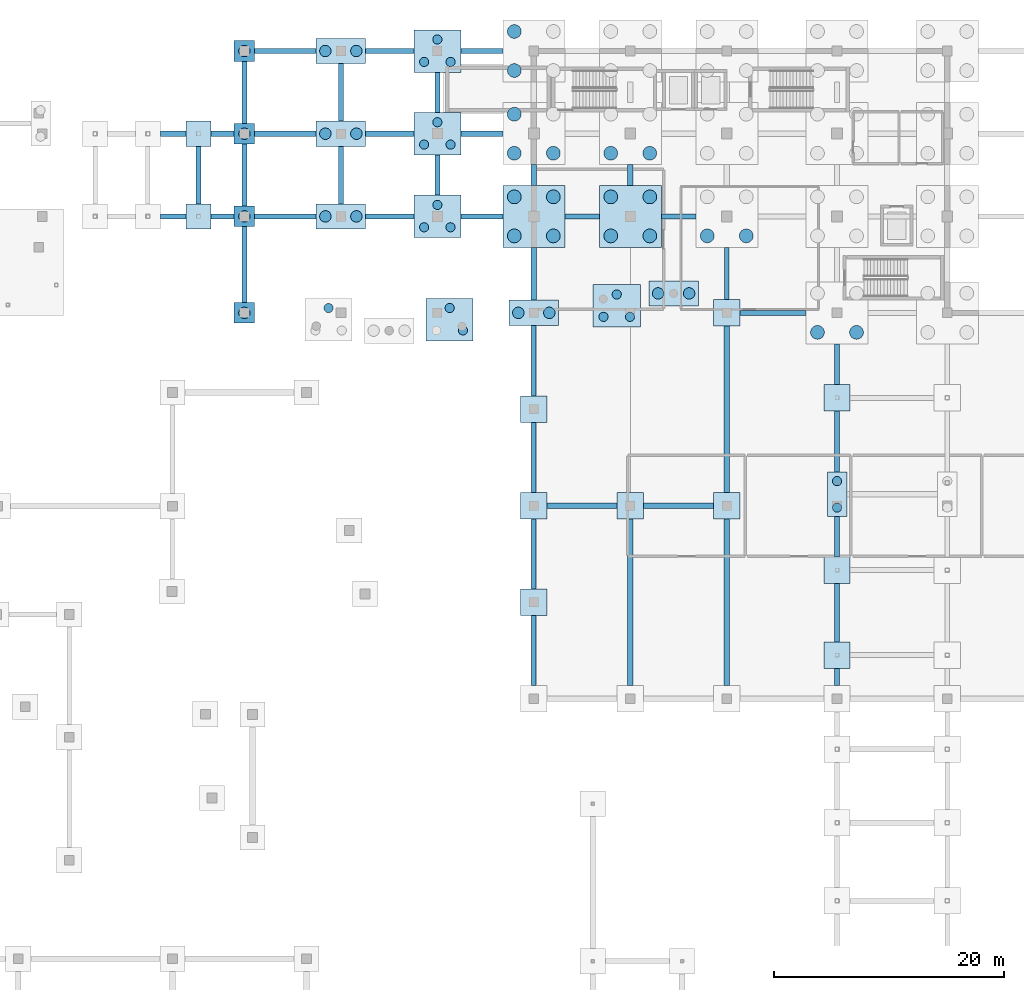
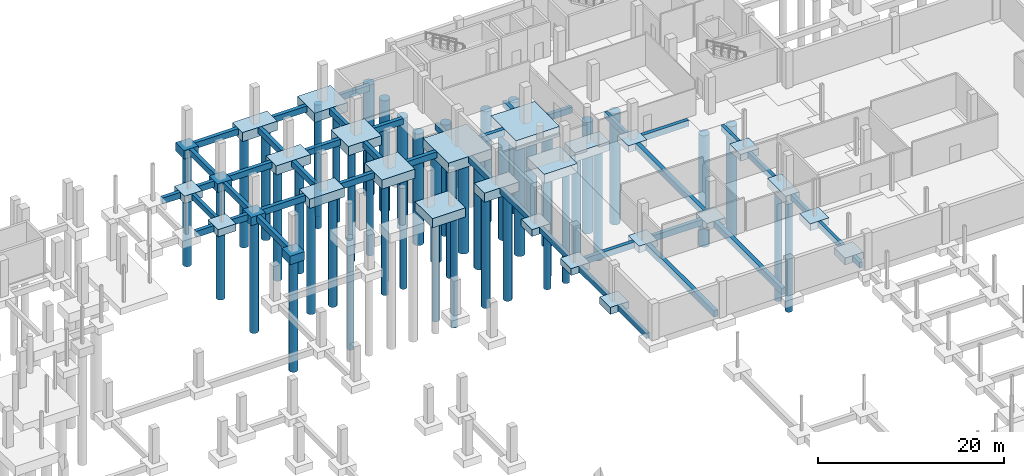
# One storey, part 5 of 44: 70 footings, 50 piles.
"""IFC4 building model written with IfcOpenShell, lengths in metres."""

from ifc_helpers import new_model, si_unit, direction, frame, origin, origin_2d, place, context, subcontext, project, spatial, rectangle, circle, extrude, material, material_profile, profile_set, type_object, element, save


model = new_model("IFC4")

# Units and contexts
model_context = context("Model", 3, precision=1e-05, world=origin(), true_north=direction((0.0, 1.0)))
body_context = subcontext(model_context, "Body", "Model", "MODEL_VIEW")
ifc_project = project(units=[si_unit("LENGTHUNIT", "METRE"), si_unit("AREAUNIT", "SQUARE_METRE"), si_unit("VOLUMEUNIT", "CUBIC_METRE"), si_unit("PLANEANGLEUNIT", "RADIAN"), si_unit("MASSUNIT", "GRAM", prefix="KILO")], contexts=[model_context])

# Site, building, storey
site_placement = place(None, origin())
site = spatial("IfcSite", under=ifc_project, at=site_placement, CompositionType="ELEMENT")
building_placement = place(site_placement, origin())
building = spatial("IfcBuilding", under=site, at=building_placement, Name="Kisaragi Civic Commons", CompositionType="ELEMENT")
storey_placement = place(building_placement, frame((0.0, 0.0, -4.800048828125)))
storey = spatial("IfcBuildingStorey", under=building, at=storey_placement, Name="B1", CompositionType="ELEMENT", Elevation=-4.800048828125)

# Footings
ifc_material_1 = material(Name="Concrete Fc27", Category="concrete")
ifc_material_profile_1 = material_profile(ifc_material_1, rectangle(XDim=0.5, YDim=0.85009765625, at=origin_2d()), Name="RC-500x850", Category="concrete")
ifc_profile_set_1 = profile_set([ifc_material_profile_1], Name="Concrete Fc27")
footing_type_1 = type_object("IfcFootingType", Name="FB-01", PredefinedType="FOOTING_BEAM", material=ifc_profile_set_1)
for number, where, z_axis, x_axis, name in (
    (1, (105.60009765625, 63.550048828125, -0.425048828125), (0.0, 1.0, 0.0), (-1.0, 0.0, 0.0), "Foundation tie beam FB-01 Y243"),
    (2, (114.0, 63.550048828125, -0.425048828125), (0.0, 1.0, 0.0), (-1.0, 0.0, 0.0), "Foundation tie beam FB-01 Y248"),
    (3, (114.0, 80.35009765625, -0.425048828125), (0.0, 1.0, 0.0), (-1.0, 0.0, 0.0), "Foundation tie beam FB-01 Y249"),
):
    element("IfcFooting", number, at=place(storey_placement, frame(where, z_axis=z_axis, x_axis=x_axis)), inside=storey, type_object=footing_type_1, Name=name, PredefinedType="FOOTING_BEAM", context=body_context, shape_type="SweptSolid", body=[
        extrude(rectangle(XDim=0.5, YDim=0.85009765625, at=origin_2d()), origin(), (0.0, 0.0, 1.0), 14.5),
    ])
ifc_material_profile_2 = material_profile(ifc_material_1, rectangle(XDim=0.449951171875, YDim=0.800048828125, at=origin_2d()), Name="RC-450x800", Category="concrete")
ifc_profile_set_2 = profile_set([ifc_material_profile_2], Name="Concrete Fc27")
footing_type_2 = type_object("IfcFootingType", Name="FB-02", PredefinedType="FOOTING_BEAM", material=ifc_profile_set_2)
footing_1_placement = place(storey_placement, frame((98.35009765625, 79.199951171875, -0.39990234375), z_axis=(1.0, 0.0, 0.0), x_axis=(0.0, 1.0, 0.0)))
element("IfcFooting", 4, at=footing_1_placement, inside=storey, type_object=footing_type_2, Name="Foundation tie beam FB-02 X91", PredefinedType="FOOTING_BEAM", context=body_context, shape_type="SweptSolid", body=[
    extrude(rectangle(XDim=0.449951171875, YDim=0.800048828125, at=origin_2d()), origin(), (0.0, 0.0, 1.0), 6.099853515625),
])
footing_2_placement = place(storey_placement, frame((106.75, 79.199951171875, -0.39990234375), z_axis=(1.0, 0.0, 0.0), x_axis=(0.0, 1.0, 0.0)))
element("IfcFooting", 5, at=footing_2_placement, inside=storey, type_object=footing_type_2, Name="Foundation tie beam FB-02 X92", PredefinedType="FOOTING_BEAM", context=body_context, shape_type="SweptSolid", body=[
    extrude(rectangle(XDim=0.449951171875, YDim=0.800048828125, at=origin_2d()), origin(), (0.0, 0.0, 1.0), 6.10009765625),
])
footing_3_placement = place(storey_placement, frame((115.14990234375, 96.0, -0.39990234375), z_axis=(1.0, 0.0, 0.0), x_axis=(0.0, 1.0, 0.0)))
element("IfcFooting", 6, at=footing_3_placement, inside=storey, type_object=footing_type_2, Name="Foundation tie beam FB-02 X104", PredefinedType="FOOTING_BEAM", context=body_context, shape_type="SweptSolid", body=[
    extrude(rectangle(XDim=0.449951171875, YDim=0.800048828125, at=origin_2d()), origin(), (0.0, 0.0, 1.0), 5.75),
])
footing_4_placement = place(storey_placement, frame((64.699951171875, 104.39990234375, -0.39990234375), z_axis=(1.0, 0.0, 0.0), x_axis=(0.0, 1.0, 0.0)))
element("IfcFooting", 7, at=footing_4_placement, inside=storey, type_object=footing_type_2, Name="Foundation tie beam FB-02 X116", PredefinedType="FOOTING_BEAM", context=body_context, shape_type="SweptSolid", body=[
    extrude(rectangle(XDim=0.449951171875, YDim=0.800048828125, at=origin_2d()), origin(), (0.0, 0.0, 1.0), 2.199951171875),
])
footing_5_placement = place(storey_placement, frame((69.10009765625, 104.39990234375, -0.39990234375), z_axis=(1.0, 0.0, 0.0), x_axis=(0.0, 1.0, 0.0)))
element("IfcFooting", 8, at=footing_5_placement, inside=storey, type_object=footing_type_2, Name="Foundation tie beam FB-02 X117", PredefinedType="FOOTING_BEAM", context=body_context, shape_type="SweptSolid", body=[
    extrude(rectangle(XDim=0.449951171875, YDim=0.800048828125, at=origin_2d()), origin(), (0.0, 0.0, 1.0), 2.0),
])
footing_6_placement = place(storey_placement, frame((72.89990234375, 104.39990234375, -0.39990234375), z_axis=(1.0, 0.0, 0.0), x_axis=(0.0, 1.0, 0.0)))
element("IfcFooting", 9, at=footing_6_placement, inside=storey, type_object=footing_type_2, Name="Foundation tie beam FB-02 X118", PredefinedType="FOOTING_BEAM", context=body_context, shape_type="SweptSolid", body=[
    extrude(rectangle(XDim=0.449951171875, YDim=0.800048828125, at=origin_2d()), origin(), (0.0, 0.0, 1.0), 5.35009765625),
])
footing_7_placement = place(storey_placement, frame((82.550048828125, 104.39990234375, -0.39990234375), z_axis=(1.0, 0.0, 0.0), x_axis=(0.0, 1.0, 0.0)))
element("IfcFooting", 10, at=footing_7_placement, inside=storey, type_object=footing_type_2, Name="Foundation tie beam FB-02 X119", PredefinedType="FOOTING_BEAM", context=body_context, shape_type="SweptSolid", body=[
    extrude(rectangle(XDim=0.449951171875, YDim=0.800048828125, at=origin_2d()), origin(), (0.0, 0.0, 1.0), 4.199951171875),
])
footing_8_placement = place(storey_placement, frame((90.85009765625, 104.39990234375, -0.39990234375), z_axis=(1.0, 0.0, 0.0), x_axis=(0.0, 1.0, 0.0)))
element("IfcFooting", 11, at=footing_8_placement, inside=storey, type_object=footing_type_2, Name="Foundation tie beam FB-02 X120", PredefinedType="FOOTING_BEAM", context=body_context, shape_type="SweptSolid", body=[
    extrude(rectangle(XDim=0.449951171875, YDim=0.800048828125, at=origin_2d()), origin(), (0.0, 0.0, 1.0), 3.64990234375),
])
for number, where, z_axis, x_axis, name in (
    (12, (99.89990234375, 104.39990234375, -0.39990234375), (1.0, 0.0, 0.0), (0.0, 1.0, 0.0), "Foundation tie beam FB-02 X121"),
    (13, (108.300048828125, 104.39990234375, -0.39990234375), (1.0, 0.0, 0.0), (0.0, 1.0, 0.0), "Foundation tie beam FB-02 X122"),
):
    element("IfcFooting", number, at=place(storey_placement, frame(where, z_axis=z_axis, x_axis=x_axis)), inside=storey, type_object=footing_type_2, Name=name, PredefinedType="FOOTING_BEAM", context=body_context, shape_type="SweptSolid", body=[
        extrude(rectangle(XDim=0.449951171875, YDim=0.800048828125, at=origin_2d()), origin(), (0.0, 0.0, 1.0), 3.0),
    ])
footing_9_placement = place(storey_placement, frame((64.699951171875, 111.60009765625, -0.39990234375), z_axis=(1.0, 0.0, 0.0), x_axis=(0.0, 1.0, 0.0)))
element("IfcFooting", 14, at=footing_9_placement, inside=storey, type_object=footing_type_2, Name="Foundation tie beam FB-02 X133", PredefinedType="FOOTING_BEAM", context=body_context, shape_type="SweptSolid", body=[
    extrude(rectangle(XDim=0.449951171875, YDim=0.800048828125, at=origin_2d()), origin(), (0.0, 0.0, 1.0), 2.199951171875),
])
footing_10_placement = place(storey_placement, frame((69.10009765625, 111.60009765625, -0.39990234375), z_axis=(1.0, 0.0, 0.0), x_axis=(0.0, 1.0, 0.0)))
element("IfcFooting", 15, at=footing_10_placement, inside=storey, type_object=footing_type_2, Name="Foundation tie beam FB-02 X134", PredefinedType="FOOTING_BEAM", context=body_context, shape_type="SweptSolid", body=[
    extrude(rectangle(XDim=0.449951171875, YDim=0.800048828125, at=origin_2d()), origin(), (0.0, 0.0, 1.0), 2.0),
])
footing_11_placement = place(storey_placement, frame((72.89990234375, 111.60009765625, -0.39990234375), z_axis=(1.0, 0.0, 0.0), x_axis=(0.0, 1.0, 0.0)))
element("IfcFooting", 16, at=footing_11_placement, inside=storey, type_object=footing_type_2, Name="Foundation tie beam FB-02 X135", PredefinedType="FOOTING_BEAM", context=body_context, shape_type="SweptSolid", body=[
    extrude(rectangle(XDim=0.449951171875, YDim=0.800048828125, at=origin_2d()), origin(), (0.0, 0.0, 1.0), 5.35009765625),
])
footing_12_placement = place(storey_placement, frame((82.550048828125, 111.60009765625, -0.39990234375), z_axis=(1.0, 0.0, 0.0), x_axis=(0.0, 1.0, 0.0)))
element("IfcFooting", 17, at=footing_12_placement, inside=storey, type_object=footing_type_2, Name="Foundation tie beam FB-02 X136", PredefinedType="FOOTING_BEAM", context=body_context, shape_type="SweptSolid", body=[
    extrude(rectangle(XDim=0.449951171875, YDim=0.800048828125, at=origin_2d()), origin(), (0.0, 0.0, 1.0), 4.199951171875),
])
footing_13_placement = place(storey_placement, frame((90.85009765625, 111.60009765625, -0.39990234375), z_axis=(1.0, 0.0, 0.0), x_axis=(0.0, 1.0, 0.0)))
element("IfcFooting", 18, at=footing_13_placement, inside=storey, type_object=footing_type_2, Name="Foundation tie beam FB-02 X137", PredefinedType="FOOTING_BEAM", context=body_context, shape_type="SweptSolid", body=[
    extrude(rectangle(XDim=0.449951171875, YDim=0.800048828125, at=origin_2d()), origin(), (0.0, 0.0, 1.0), 3.64990234375),
])
footing_14_placement = place(storey_placement, frame((72.89990234375, 118.800048828125, -0.39990234375), z_axis=(1.0, 0.0, 0.0), x_axis=(0.0, 1.0, 0.0)))
element("IfcFooting", 19, at=footing_14_placement, inside=storey, type_object=footing_type_2, Name="Foundation tie beam FB-02 X146", PredefinedType="FOOTING_BEAM", context=body_context, shape_type="SweptSolid", body=[
    extrude(rectangle(XDim=0.449951171875, YDim=0.800048828125, at=origin_2d()), origin(), (0.0, 0.0, 1.0), 5.35009765625),
])
footing_15_placement = place(storey_placement, frame((82.550048828125, 118.800048828125, -0.39990234375), z_axis=(1.0, 0.0, 0.0), x_axis=(0.0, 1.0, 0.0)))
element("IfcFooting", 20, at=footing_15_placement, inside=storey, type_object=footing_type_2, Name="Foundation tie beam FB-02 X147", PredefinedType="FOOTING_BEAM", context=body_context, shape_type="SweptSolid", body=[
    extrude(rectangle(XDim=0.449951171875, YDim=0.800048828125, at=origin_2d()), origin(), (0.0, 0.0, 1.0), 4.199951171875),
])
footing_16_placement = place(storey_placement, frame((90.85009765625, 118.800048828125, -0.39990234375), z_axis=(1.0, 0.0, 0.0), x_axis=(0.0, 1.0, 0.0)))
element("IfcFooting", 21, at=footing_16_placement, inside=storey, type_object=footing_type_2, Name="Foundation tie beam FB-02 X148", PredefinedType="FOOTING_BEAM", context=body_context, shape_type="SweptSolid", body=[
    extrude(rectangle(XDim=0.449951171875, YDim=0.800048828125, at=origin_2d()), origin(), (0.0, 0.0, 1.0), 3.64990234375),
])
footing_17_placement = place(storey_placement, frame((72.0, 96.89990234375, -0.39990234375), z_axis=(0.0, 1.0, 0.0), x_axis=(-1.0, 0.0, 0.0)))
element("IfcFooting", 22, at=footing_17_placement, inside=storey, type_object=footing_type_2, Name="Foundation tie beam FB-02 Y222", PredefinedType="FOOTING_BEAM", context=body_context, shape_type="SweptSolid", body=[
    extrude(rectangle(XDim=0.449951171875, YDim=0.800048828125, at=origin_2d()), origin(), (0.0, 0.0, 1.0), 6.60009765625),
])
for number, where, z_axis, x_axis, name in (
    (23, (72.0, 105.300048828125, -0.39990234375), (0.0, 1.0, 0.0), (-1.0, 0.0, 0.0), "Foundation tie beam FB-02 Y223"),
    (24, (72.0, 112.5, -0.39990234375), (0.0, 1.0, 0.0), (-1.0, 0.0, 0.0), "Foundation tie beam FB-02 Y224"),
):
    element("IfcFooting", number, at=place(storey_placement, frame(where, z_axis=z_axis, x_axis=x_axis)), inside=storey, type_object=footing_type_2, Name=name, PredefinedType="FOOTING_BEAM", context=body_context, shape_type="SweptSolid", body=[
        extrude(rectangle(XDim=0.449951171875, YDim=0.800048828125, at=origin_2d()), origin(), (0.0, 0.0, 1.0), 5.39990234375),
    ])
for number, where, z_axis, x_axis, name in (
    (25, (80.39990234375, 105.5, -0.39990234375), (0.0, 1.0, 0.0), (-1.0, 0.0, 0.0), "Foundation tie beam FB-02 Y228"),
    (26, (80.39990234375, 112.699951171875, -0.39990234375), (0.0, 1.0, 0.0), (-1.0, 0.0, 0.0), "Foundation tie beam FB-02 Y229"),
):
    element("IfcFooting", number, at=place(storey_placement, frame(where, z_axis=z_axis, x_axis=x_axis)), inside=storey, type_object=footing_type_2, Name=name, PredefinedType="FOOTING_BEAM", context=body_context, shape_type="SweptSolid", body=[
        extrude(rectangle(XDim=0.449951171875, YDim=0.800048828125, at=origin_2d()), origin(), (0.0, 0.0, 1.0), 5.0),
    ])
for number, where, z_axis, x_axis, name in (
    (27, (88.800048828125, 106.25, -0.39990234375), (0.0, 1.0, 0.0), (-1.0, 0.0, 0.0), "Foundation tie beam FB-02 Y231"),
    (28, (88.800048828125, 113.449951171875, -0.39990234375), (0.0, 1.0, 0.0), (-1.0, 0.0, 0.0), "Foundation tie beam FB-02 Y232"),
):
    element("IfcFooting", number, at=place(storey_placement, frame(where, z_axis=z_axis, x_axis=x_axis)), inside=storey, type_object=footing_type_2, Name=name, PredefinedType="FOOTING_BEAM", context=body_context, shape_type="SweptSolid", body=[
        extrude(rectangle(XDim=0.449951171875, YDim=0.800048828125, at=origin_2d()), origin(), (0.0, 0.0, 1.0), 3.5),
    ])
footing_18_placement = place(storey_placement, frame((97.199951171875, 97.10009765625, -0.39990234375), z_axis=(0.0, 1.0, 0.0), x_axis=(-1.0, 0.0, 0.0)))
element("IfcFooting", 29, at=footing_18_placement, inside=storey, type_object=footing_type_2, Name="Foundation tie beam FB-02 Y238", PredefinedType="FOOTING_BEAM", context=body_context, shape_type="SweptSolid", body=[
    extrude(rectangle(XDim=0.449951171875, YDim=0.800048828125, at=origin_2d()), origin(), (0.0, 0.0, 1.0), 4.599853515625),
])
for number, where, z_axis, x_axis, name in (
    (30, (97.199951171875, 107.10009765625, -0.39990234375), (0.0, 1.0, 0.0), (-1.0, 0.0, 0.0), "Foundation tie beam FB-02 Y239"),
    (31, (105.60009765625, 107.10009765625, -0.39990234375), (0.0, 1.0, 0.0), (-1.0, 0.0, 0.0), "Foundation tie beam FB-02 Y244"),
):
    element("IfcFooting", number, at=place(storey_placement, frame(where, z_axis=z_axis, x_axis=x_axis)), inside=storey, type_object=footing_type_2, Name=name, PredefinedType="FOOTING_BEAM", context=body_context, shape_type="SweptSolid", body=[
        extrude(rectangle(XDim=0.449951171875, YDim=0.800048828125, at=origin_2d()), origin(), (0.0, 0.0, 1.0), 1.7998046875),
    ])
ifc_material_profile_3 = material_profile(ifc_material_1, rectangle(XDim=0.39990234375, YDim=0.75, at=origin_2d()), Name="RC-400x750", Category="concrete")
ifc_profile_set_3 = profile_set([ifc_material_profile_3], Name="Concrete Fc27")
footing_type_3 = type_object("IfcFootingType", Name="FB-03", PredefinedType="FOOTING_BEAM", material=ifc_profile_set_3)
footing_19_placement = place(storey_placement, frame((68.0, 105.5, -0.375), z_axis=(0.0, 1.0, 0.0), x_axis=(-1.0, 0.0, 0.0)))
element("IfcFooting", 32, at=footing_19_placement, inside=storey, type_object=footing_type_3, Name="Foundation tie beam FB-03 Y220", PredefinedType="FOOTING_BEAM", context=body_context, shape_type="SweptSolid", body=[
    extrude(rectangle(XDim=0.39990234375, YDim=0.75, at=origin_2d()), origin(), (0.0, 0.0, 1.0), 5.0),
])
footing_20_placement = place(storey_placement, frame((97.199951171875, 63.550048828125, -0.375), z_axis=(0.0, 1.0, 0.0), x_axis=(-1.0, 0.0, 0.0)))
element("IfcFooting", 33, at=footing_20_placement, inside=storey, type_object=footing_type_3, Name="Foundation tie beam FB-03 Y234", PredefinedType="FOOTING_BEAM", context=body_context, shape_type="SweptSolid", body=[
    extrude(rectangle(XDim=0.39990234375, YDim=0.75, at=origin_2d()), origin(), (0.0, 0.0, 1.0), 6.099853515625),
])
footing_21_placement = place(storey_placement, frame((97.199951171875, 71.949951171875, -0.375), z_axis=(0.0, 1.0, 0.0), x_axis=(-1.0, 0.0, 0.0)))
element("IfcFooting", 34, at=footing_21_placement, inside=storey, type_object=footing_type_3, Name="Foundation tie beam FB-03 Y235", PredefinedType="FOOTING_BEAM", context=body_context, shape_type="SweptSolid", body=[
    extrude(rectangle(XDim=0.39990234375, YDim=0.75, at=origin_2d()), origin(), (0.0, 0.0, 1.0), 6.10009765625),
])
footing_22_placement = place(storey_placement, frame((97.199951171875, 80.35009765625, -0.375), z_axis=(0.0, 1.0, 0.0), x_axis=(-1.0, 0.0, 0.0)))
element("IfcFooting", 35, at=footing_22_placement, inside=storey, type_object=footing_type_3, Name="Foundation tie beam FB-03 Y236", PredefinedType="FOOTING_BEAM", context=body_context, shape_type="SweptSolid", body=[
    extrude(rectangle(XDim=0.39990234375, YDim=0.75, at=origin_2d()), origin(), (0.0, 0.0, 1.0), 6.099853515625),
])
footing_23_placement = place(storey_placement, frame((97.199951171875, 88.75, -0.375), z_axis=(0.0, 1.0, 0.0), x_axis=(-1.0, 0.0, 0.0)))
element("IfcFooting", 36, at=footing_23_placement, inside=storey, type_object=footing_type_3, Name="Foundation tie beam FB-03 Y237", PredefinedType="FOOTING_BEAM", context=body_context, shape_type="SweptSolid", body=[
    extrude(rectangle(XDim=0.39990234375, YDim=0.75, at=origin_2d()), origin(), (0.0, 0.0, 1.0), 6.14990234375),
])
footing_24_placement = place(storey_placement, frame((114.0, 97.14990234375, -0.375), z_axis=(0.0, 1.0, 0.0), x_axis=(-1.0, 0.0, 0.0)))
element("IfcFooting", 37, at=footing_24_placement, inside=storey, type_object=footing_type_3, Name="Foundation tie beam FB-03 Y250", PredefinedType="FOOTING_BEAM", context=body_context, shape_type="SweptSolid", body=[
    extrude(rectangle(XDim=0.39990234375, YDim=0.75, at=origin_2d()), origin(), (0.0, 0.0, 1.0), 4.550048828125),
])
footing_25_placement = place(storey_placement, frame((123.60009765625, 63.550048828125, -0.375), z_axis=(0.0, 1.0, 0.0), x_axis=(-1.0, 0.0, 0.0)))
element("IfcFooting", 38, at=footing_25_placement, inside=storey, type_object=footing_type_3, Name="Foundation tie beam FB-03 Y260", PredefinedType="FOOTING_BEAM", context=body_context, shape_type="SweptSolid", body=[
    extrude(rectangle(XDim=0.39990234375, YDim=0.75, at=origin_2d()), origin(), (0.0, 0.0, 1.0), 1.5),
])
footing_26_placement = place(storey_placement, frame((123.60009765625, 67.35009765625, -0.375), z_axis=(0.0, 1.0, 0.0), x_axis=(-1.0, 0.0, 0.0)))
element("IfcFooting", 39, at=footing_26_placement, inside=storey, type_object=footing_type_3, Name="Foundation tie beam FB-03 Y261", PredefinedType="FOOTING_BEAM", context=body_context, shape_type="SweptSolid", body=[
    extrude(rectangle(XDim=0.39990234375, YDim=0.75, at=origin_2d()), origin(), (0.0, 0.0, 1.0), 5.099853515625),
])
footing_27_placement = place(storey_placement, frame((123.60009765625, 74.75, -0.375), z_axis=(0.0, 1.0, 0.0), x_axis=(-1.0, 0.0, 0.0)))
element("IfcFooting", 40, at=footing_27_placement, inside=storey, type_object=footing_type_3, Name="Foundation tie beam FB-03 Y262", PredefinedType="FOOTING_BEAM", context=body_context, shape_type="SweptSolid", body=[
    extrude(rectangle(XDim=0.39990234375, YDim=0.75, at=origin_2d()), origin(), (0.0, 0.0, 1.0), 3.5),
])
footing_28_placement = place(storey_placement, frame((123.60009765625, 82.14990234375, -0.375), z_axis=(0.0, 1.0, 0.0), x_axis=(-1.0, 0.0, 0.0)))
element("IfcFooting", 41, at=footing_28_placement, inside=storey, type_object=footing_type_3, Name="Foundation tie beam FB-03 Y263", PredefinedType="FOOTING_BEAM", context=body_context, shape_type="SweptSolid", body=[
    extrude(rectangle(XDim=0.39990234375, YDim=0.75, at=origin_2d()), origin(), (0.0, 0.0, 1.0), 5.300048828125),
])
footing_29_placement = place(storey_placement, frame((123.60009765625, 89.75, -0.375), z_axis=(0.0, 1.0, 0.0), x_axis=(-1.0, 0.0, 0.0)))
element("IfcFooting", 42, at=footing_29_placement, inside=storey, type_object=footing_type_3, Name="Foundation tie beam FB-03 Y264", PredefinedType="FOOTING_BEAM", context=body_context, shape_type="SweptSolid", body=[
    extrude(rectangle(XDim=0.39990234375, YDim=0.75, at=origin_2d()), origin(), (0.0, 0.0, 1.0), 3.550048828125),
])

# Piles
ifc_material_profile_4 = material_profile(ifc_material_1, circle(Radius=0.39990234375, at=origin_2d()), Name="PILE-D800", Category="concrete")
ifc_profile_set_4 = profile_set([ifc_material_profile_4], Name="Concrete Fc27")
pile_type_1 = type_object("IfcPileType", Name="P-08", PredefinedType="BORED", material=ifc_profile_set_4)
for number, where, z_axis, x_axis, name in (
    (43, (79.326416015625, 96.419677734375, -1.099853515625), (0.0, 0.0, -1.0), (1.0, 0.0, 0.0), "Bored pile P-08 152.3"),
    (44, (91.023681640625, 94.469482421875, -1.099853515625), (0.0, 0.0, -1.0), (1.0, 0.0, 0.0), "Bored pile P-08 163.2"),
    (45, (89.873779296875, 96.419677734375, -1.099853515625), (0.0, 0.0, -1.0), (1.0, 0.0, 0.0), "Bored pile P-08 163.3"),
    (46, (87.64990234375, 103.449951171875, -1.099853515625), (0.0, 0.0, -1.0), (1.0, 0.0, 0.0), "Bored pile P-08 164.1"),
    (47, (89.949951171875, 103.449951171875, -1.099853515625), (0.0, 0.0, -1.0), (1.0, 0.0, 0.0), "Bored pile P-08 164.2"),
    (48, (88.800048828125, 105.39990234375, -1.099853515625), (0.0, 0.0, -1.0), (1.0, 0.0, 0.0), "Bored pile P-08 164.3"),
    (49, (87.64990234375, 110.64990234375, -1.099853515625), (0.0, 0.0, -1.0), (1.0, 0.0, 0.0), "Bored pile P-08 165.1"),
    (50, (89.949951171875, 110.64990234375, -1.099853515625), (0.0, 0.0, -1.0), (1.0, 0.0, 0.0), "Bored pile P-08 165.2"),
    (51, (88.800048828125, 112.60009765625, -1.099853515625), (0.0, 0.0, -1.0), (1.0, 0.0, 0.0), "Bored pile P-08 165.3"),
    (52, (87.64990234375, 117.85009765625, -1.099853515625), (0.0, 0.0, -1.0), (1.0, 0.0, 0.0), "Bored pile P-08 166.1"),
    (53, (89.949951171875, 117.85009765625, -1.099853515625), (0.0, 0.0, -1.0), (1.0, 0.0, 0.0), "Bored pile P-08 166.2"),
    (54, (88.800048828125, 119.800048828125, -1.099853515625), (0.0, 0.0, -1.0), (1.0, 0.0, 0.0), "Bored pile P-08 166.3"),
    (55, (103.268310546875, 95.65380859375, -1.099853515625), (0.0, 0.0, -1.0), (1.0, 0.0, 0.0), "Bored pile P-08 186.1"),
    (56, (105.568359375, 95.65380859375, -1.099853515625), (0.0, 0.0, -1.0), (1.0, 0.0, 0.0), "Bored pile P-08 186.2"),
    (57, (104.418212890625, 97.603759765625, -1.099853515625), (0.0, 0.0, -1.0), (1.0, 0.0, 0.0), "Bored pile P-08 186.3"),
    (58, (123.60009765625, 79.050048828125, -1.099853515625), (0.0, 0.0, -1.0), (1.0, 0.0, 0.0), "Bored pile P-08 220.1"),
    (59, (123.60009765625, 81.35009765625, -1.099853515625), (0.0, 0.0, -1.0), (1.0, 0.0, 0.0), "Bored pile P-08 220.2"),
):
    element("IfcPile", number, at=place(storey_placement, frame(where, z_axis=z_axis, x_axis=x_axis)), inside=storey, type_object=pile_type_1, Name=name, PredefinedType="BORED", context=body_context, shape_type="SweptSolid", body=[
        extrude(circle(Radius=0.39990234375, at=origin_2d()), origin(), (0.0, 0.0, 1.0), 14.60009765625),
    ])
ifc_material_profile_5 = material_profile(ifc_material_1, circle(Radius=0.5, at=origin_2d()), Name="PILE-D1000", Category="concrete")
ifc_profile_set_5 = profile_set([ifc_material_profile_5], Name="Concrete Fc27")
pile_type_2 = type_object("IfcPileType", Name="P-10", PredefinedType="BORED", material=ifc_profile_set_5)
for number, where, z_axis, x_axis, name in (
    (60, (72.0, 96.0, -1.099853515625), (0.0, 0.0, -1.0), (1.0, 0.0, 0.0), "Bored pile P-10 142.1"),
    (61, (72.0, 104.39990234375, -1.099853515625), (0.0, 0.0, -1.0), (1.0, 0.0, 0.0), "Bored pile P-10 143.1"),
    (62, (72.0, 111.60009765625, -1.099853515625), (0.0, 0.0, -1.0), (1.0, 0.0, 0.0), "Bored pile P-10 144.1"),
    (63, (72.0, 118.800048828125, -1.099853515625), (0.0, 0.0, -1.0), (1.0, 0.0, 0.0), "Bored pile P-10 145.1"),
    (64, (79.050048828125, 104.39990234375, -1.099853515625), (0.0, 0.0, -1.0), (1.0, 0.0, 0.0), "Bored pile P-10 155.1"),
    (65, (81.75, 104.39990234375, -1.099853515625), (0.0, 0.0, -1.0), (1.0, 0.0, 0.0), "Bored pile P-10 155.2"),
    (66, (79.050048828125, 111.60009765625, -1.099853515625), (0.0, 0.0, -1.0), (1.0, 0.0, 0.0), "Bored pile P-10 156.1"),
    (67, (81.75, 111.60009765625, -1.099853515625), (0.0, 0.0, -1.0), (1.0, 0.0, 0.0), "Bored pile P-10 156.2"),
    (68, (79.050048828125, 118.800048828125, -1.099853515625), (0.0, 0.0, -1.0), (1.0, 0.0, 0.0), "Bored pile P-10 157.1"),
    (69, (81.75, 118.800048828125, -1.099853515625), (0.0, 0.0, -1.0), (1.0, 0.0, 0.0), "Bored pile P-10 157.2"),
    (70, (95.85009765625, 96.0, -1.099853515625), (0.0, 0.0, -1.0), (1.0, 0.0, 0.0), "Bored pile P-10 175.1"),
    (71, (98.550048828125, 96.0, -1.099853515625), (0.0, 0.0, -1.0), (1.0, 0.0, 0.0), "Bored pile P-10 175.2"),
    (72, (108.0234375, 97.693115234375, -1.099853515625), (0.0, 0.0, -1.0), (1.0, 0.0, 0.0), "Bored pile P-10 194.1"),
    (73, (110.723388671875, 97.693115234375, -1.099853515625), (0.0, 0.0, -1.0), (1.0, 0.0, 0.0), "Bored pile P-10 194.2"),
):
    element("IfcPile", number, at=place(storey_placement, frame(where, z_axis=z_axis, x_axis=x_axis)), inside=storey, type_object=pile_type_2, Name=name, PredefinedType="BORED", context=body_context, shape_type="SweptSolid", body=[
        extrude(circle(Radius=0.5, at=origin_2d()), origin(), (0.0, 0.0, 1.0), 14.60009765625),
    ])
ifc_material_profile_6 = material_profile(ifc_material_1, circle(Radius=0.60009765625, at=origin_2d()), Name="PILE-D1200", Category="concrete")
ifc_profile_set_6 = profile_set([ifc_material_profile_6], Name="Concrete Fc27")
pile_type_3 = type_object("IfcPileType", Name="P-12", PredefinedType="BORED", material=ifc_profile_set_6)
for number, where, z_axis, x_axis, name in (
    (74, (95.5, 102.699951171875, -1.099853515625), (0.0, 0.0, -1.0), (1.0, 0.0, 0.0), "Bored pile P-12 176.1"),
    (75, (98.89990234375, 102.699951171875, -1.099853515625), (0.0, 0.0, -1.0), (1.0, 0.0, 0.0), "Bored pile P-12 176.2"),
    (76, (95.5, 106.10009765625, -1.099853515625), (0.0, 0.0, -1.0), (1.0, 0.0, 0.0), "Bored pile P-12 176.3"),
    (77, (98.89990234375, 106.10009765625, -1.099853515625), (0.0, 0.0, -1.0), (1.0, 0.0, 0.0), "Bored pile P-12 176.4"),
    (78, (95.5, 109.89990234375, -1.099853515625), (0.0, 0.0, -1.0), (1.0, 0.0, 0.0), "Bored pile P-12 177.1"),
    (79, (98.89990234375, 109.89990234375, -1.099853515625), (0.0, 0.0, -1.0), (1.0, 0.0, 0.0), "Bored pile P-12 177.2"),
    (80, (95.5, 113.300048828125, -1.099853515625), (0.0, 0.0, -1.0), (1.0, 0.0, 0.0), "Bored pile P-12 177.3"),
    (81, (95.5, 117.10009765625, -1.099853515625), (0.0, 0.0, -1.0), (1.0, 0.0, 0.0), "Bored pile P-12 178.1"),
    (82, (95.5, 120.5, -1.099853515625), (0.0, 0.0, -1.0), (1.0, 0.0, 0.0), "Bored pile P-12 178.3"),
    (83, (103.89990234375, 102.699951171875, -1.099853515625), (0.0, 0.0, -1.0), (1.0, 0.0, 0.0), "Bored pile P-12 190.1"),
    (84, (107.300048828125, 102.699951171875, -1.099853515625), (0.0, 0.0, -1.0), (1.0, 0.0, 0.0), "Bored pile P-12 190.2"),
    (85, (103.89990234375, 106.10009765625, -1.099853515625), (0.0, 0.0, -1.0), (1.0, 0.0, 0.0), "Bored pile P-12 190.3"),
    (86, (107.300048828125, 106.10009765625, -1.099853515625), (0.0, 0.0, -1.0), (1.0, 0.0, 0.0), "Bored pile P-12 190.4"),
    (87, (103.89990234375, 109.89990234375, -1.099853515625), (0.0, 0.0, -1.0), (1.0, 0.0, 0.0), "Bored pile P-12 191.1"),
    (88, (107.300048828125, 109.89990234375, -1.099853515625), (0.0, 0.0, -1.0), (1.0, 0.0, 0.0), "Bored pile P-12 191.2"),
    (89, (112.300048828125, 102.699951171875, -1.099853515625), (0.0, 0.0, -1.0), (1.0, 0.0, 0.0), "Bored pile P-12 204.1"),
    (90, (115.699951171875, 102.699951171875, -1.099853515625), (0.0, 0.0, -1.0), (1.0, 0.0, 0.0), "Bored pile P-12 204.2"),
    (91, (121.89990234375, 94.300048828125, -1.099853515625), (0.0, 0.0, -1.0), (1.0, 0.0, 0.0), "Bored pile P-12 222.1"),
    (92, (125.300048828125, 94.300048828125, -1.099853515625), (0.0, 0.0, -1.0), (1.0, 0.0, 0.0), "Bored pile P-12 222.2"),
):
    element("IfcPile", number, at=place(storey_placement, frame(where, z_axis=z_axis, x_axis=x_axis)), inside=storey, type_object=pile_type_3, Name=name, PredefinedType="BORED", context=body_context, shape_type="SweptSolid", body=[
        extrude(circle(Radius=0.60009765625, at=origin_2d()), origin(), (0.0, 0.0, 1.0), 14.60009765625),
    ])

# Footings
ifc_material_2 = material(Name="Concrete Fc36", Category="concrete")
footing_type_4 = type_object("IfcFootingType", Name="PC-1A", PredefinedType="PILE_CAP", material=ifc_material_2)
for number, where, z_axis, x_axis, name in (
    (93, (72.0, 96.0, -1.10009765625), (0.0, 0.0, 1.0), (1.0, 0.0, 0.0), "Pile cap PC-1A 142"),
    (94, (72.0, 104.39990234375, -1.10009765625), (0.0, 0.0, 1.0), (1.0, 0.0, 0.0), "Pile cap PC-1A 143"),
    (95, (72.0, 111.60009765625, -1.10009765625), (0.0, 0.0, 1.0), (1.0, 0.0, 0.0), "Pile cap PC-1A 144"),
    (96, (72.0, 118.800048828125, -1.10009765625), (0.0, 0.0, 1.0), (1.0, 0.0, 0.0), "Pile cap PC-1A 145"),
):
    element("IfcFooting", number, at=place(storey_placement, frame(where, z_axis=z_axis, x_axis=x_axis)), inside=storey, type_object=footing_type_4, Name=name, PredefinedType="PILE_CAP", context=body_context, shape_type="SweptSolid", body=[
        extrude(rectangle(XDim=1.800048828125, YDim=1.800048828125, at=origin_2d()), origin(), (0.0, 0.0, 1.0), 1.10009765625),
    ])
footing_type_5 = type_object("IfcFootingType", Name="PC-2B", PredefinedType="PILE_CAP", material=ifc_material_2)
footing_30_placement = place(storey_placement, frame((123.60009765625, 80.199951171875, -1.14990234375), z_axis=(0.0, 0.0, 1.0), x_axis=(1.0, 0.0, 0.0)))
element("IfcFooting", 97, at=footing_30_placement, inside=storey, type_object=footing_type_5, Name="Pile cap PC-2B 220", PredefinedType="PILE_CAP", context=body_context, shape_type="SweptSolid", body=[
    extrude(rectangle(XDim=1.699951171875, YDim=3.89990234375, at=origin_2d()), origin(), (0.0, 0.0, 1.0), 1.14990234375),
])
footing_type_6 = type_object("IfcFootingType", Name="PC-3A", PredefinedType="PILE_CAP", material=ifc_material_2)
for number, where, z_axis, x_axis, name in (
    (98, (89.873779296875, 95.419677734375, -1.19970703125), (0.0, 0.0, 1.0), (1.0, 0.0, 0.0), "Pile cap PC-3A 163"),
    (99, (88.800048828125, 104.39990234375, -1.19970703125), (0.0, 0.0, 1.0), (1.0, 0.0, 0.0), "Pile cap PC-3A 164"),
    (100, (88.800048828125, 111.60009765625, -1.19970703125), (0.0, 0.0, 1.0), (1.0, 0.0, 0.0), "Pile cap PC-3A 165"),
    (101, (88.800048828125, 118.800048828125, -1.19970703125), (0.0, 0.0, 1.0), (1.0, 0.0, 0.0), "Pile cap PC-3A 166"),
    (102, (104.418212890625, 96.603759765625, -1.19970703125), (0.0, 0.0, 1.0), (1.0, 0.0, 0.0), "Pile cap PC-3A 186"),
):
    element("IfcFooting", number, at=place(storey_placement, frame(where, z_axis=z_axis, x_axis=x_axis)), inside=storey, type_object=footing_type_6, Name=name, PredefinedType="PILE_CAP", context=body_context, shape_type="SweptSolid", body=[
        extrude(rectangle(XDim=4.10009765625, YDim=3.699951171875, at=origin_2d()), origin(), (0.0, 0.0, 1.0), 1.199951171875),
    ])
footing_type_7 = type_object("IfcFootingType", Name="PC-4A", PredefinedType="PILE_CAP", material=ifc_material_2)
for number, where, z_axis, x_axis, name in (
    (103, (80.39990234375, 104.39990234375, -1.19970703125), (0.0, 0.0, 1.0), (1.0, 0.0, 0.0), "Pile cap PC-4A 155"),
    (104, (80.39990234375, 111.60009765625, -1.19970703125), (0.0, 0.0, 1.0), (1.0, 0.0, 0.0), "Pile cap PC-4A 156"),
    (105, (80.39990234375, 118.800048828125, -1.19970703125), (0.0, 0.0, 1.0), (1.0, 0.0, 0.0), "Pile cap PC-4A 157"),
    (106, (97.199951171875, 96.0, -1.19970703125), (0.0, 0.0, 1.0), (1.0, 0.0, 0.0), "Pile cap PC-4A 175"),
    (107, (109.373291015625, 97.693115234375, -1.19970703125), (0.0, 0.0, 1.0), (1.0, 0.0, 0.0), "Pile cap PC-4A 194"),
):
    element("IfcFooting", number, at=place(storey_placement, frame(where, z_axis=z_axis, x_axis=x_axis)), inside=storey, type_object=footing_type_7, Name=name, PredefinedType="PILE_CAP", context=body_context, shape_type="SweptSolid", body=[
        extrude(rectangle(XDim=4.300048828125, YDim=2.199951171875, at=origin_2d()), origin(), (0.0, 0.0, 1.0), 1.199951171875),
    ])
footing_type_8 = type_object("IfcFootingType", Name="PC-4C", PredefinedType="PILE_CAP", material=ifc_material_2)
for number, where, z_axis, x_axis, name in (
    (108, (97.199951171875, 104.39990234375, -1.2998046875), (0.0, 0.0, 1.0), (1.0, 0.0, 0.0), "Pile cap PC-4C 176"),
    (109, (105.60009765625, 104.39990234375, -1.2998046875), (0.0, 0.0, 1.0), (1.0, 0.0, 0.0), "Pile cap PC-4C 190"),
):
    element("IfcFooting", number, at=place(storey_placement, frame(where, z_axis=z_axis, x_axis=x_axis)), inside=storey, type_object=footing_type_8, Name=name, PredefinedType="PILE_CAP", context=body_context, shape_type="SweptSolid", body=[
        extrude(rectangle(XDim=5.39990234375, YDim=5.39990234375, at=origin_2d()), origin(), (0.0, 0.0, 1.0), 1.300048828125),
    ])
footing_type_9 = type_object("IfcFootingType", Name="PF-02", PredefinedType="PAD_FOOTING", material=ifc_material_2)
for number, where, z_axis, x_axis, name in (
    (110, (68.0, 104.39990234375, -0.94970703125), (0.0, 0.0, 1.0), (1.0, 0.0, 0.0), "Pad footing PF-02 136"),
    (111, (68.0, 111.60009765625, -0.94970703125), (0.0, 0.0, 1.0), (1.0, 0.0, 0.0), "Pad footing PF-02 137"),
):
    element("IfcFooting", number, at=place(storey_placement, frame(where, z_axis=z_axis, x_axis=x_axis)), inside=storey, type_object=footing_type_9, Name=name, PredefinedType="PAD_FOOTING", context=body_context, shape_type="SweptSolid", body=[
        extrude(rectangle(XDim=2.199951171875, YDim=2.199951171875, at=origin_2d()), origin(), (0.0, 0.0, 1.0), 0.949951171875),
    ])
footing_type_10 = type_object("IfcFootingType", Name="PF-04", PredefinedType="PAD_FOOTING", material=ifc_material_2)
for number, where, z_axis, x_axis, name in (
    (112, (97.199951171875, 70.800048828125, -0.89990234375), (0.0, 0.0, 1.0), (1.0, 0.0, 0.0), "Pad footing PF-04 172"),
    (113, (97.199951171875, 79.199951171875, -0.89990234375), (0.0, 0.0, 1.0), (1.0, 0.0, 0.0), "Pad footing PF-04 173"),
    (114, (97.199951171875, 87.60009765625, -0.89990234375), (0.0, 0.0, 1.0), (1.0, 0.0, 0.0), "Pad footing PF-04 174"),
    (115, (105.60009765625, 79.199951171875, -0.89990234375), (0.0, 0.0, 1.0), (1.0, 0.0, 0.0), "Pad footing PF-04 189"),
    (116, (114.0, 79.199951171875, -0.89990234375), (0.0, 0.0, 1.0), (1.0, 0.0, 0.0), "Pad footing PF-04 202"),
    (117, (114.0, 96.0, -0.89990234375), (0.0, 0.0, 1.0), (1.0, 0.0, 0.0), "Pad footing PF-04 203"),
    (118, (123.60009765625, 66.199951171875, -0.89990234375), (0.0, 0.0, 1.0), (1.0, 0.0, 0.0), "Pad footing PF-04 218"),
    (119, (123.60009765625, 73.60009765625, -0.89990234375), (0.0, 0.0, 1.0), (1.0, 0.0, 0.0), "Pad footing PF-04 219"),
    (120, (123.60009765625, 88.60009765625, -0.89990234375), (0.0, 0.0, 1.0), (1.0, 0.0, 0.0), "Pad footing PF-04 221"),
):
    element("IfcFooting", number, at=place(storey_placement, frame(where, z_axis=z_axis, x_axis=x_axis)), inside=storey, type_object=footing_type_10, Name=name, PredefinedType="PAD_FOOTING", context=body_context, shape_type="SweptSolid", body=[
        extrude(rectangle(XDim=2.300048828125, YDim=2.300048828125, at=origin_2d()), origin(), (0.0, 0.0, 1.0), 0.89990234375),
    ])

save(model, "model.ifc")
